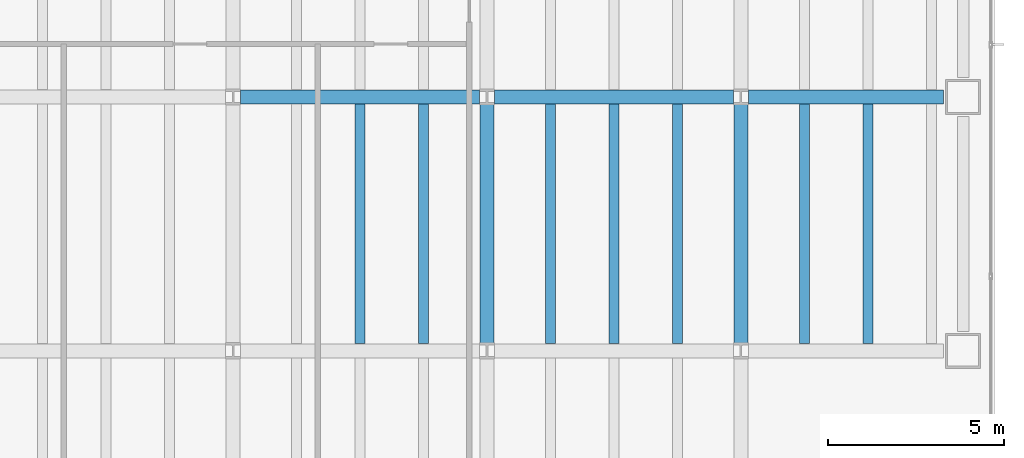
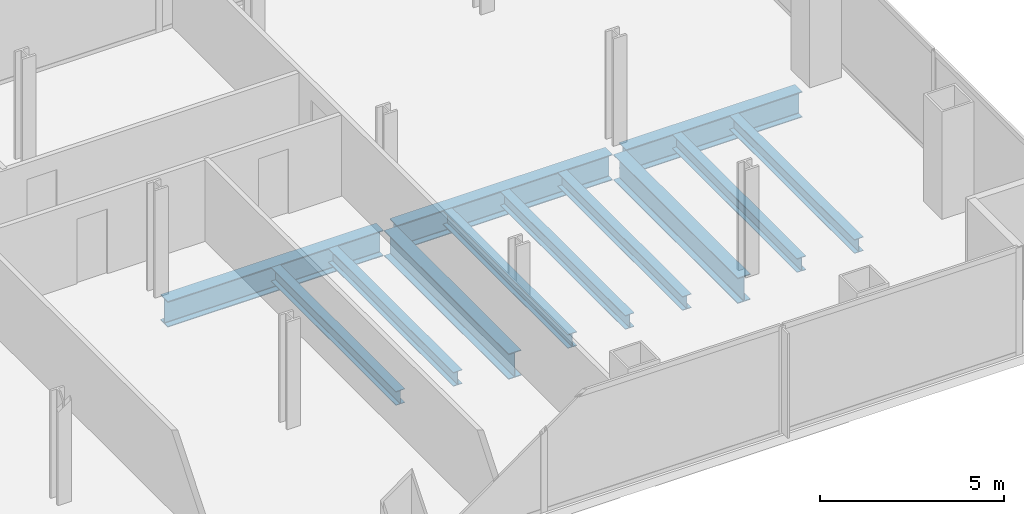
# One storey, part 9 of 25: 12 beams.
"""IFC4 building model written with IfcOpenShell, lengths in metres."""

from ifc_helpers import new_model, si_unit, direction, frame, origin, origin_2d, place, context, subcontext, project, spatial, i_section, extrude, material, material_profile, profile_set, type_object, element, save


model = new_model("IFC4")

# Units and contexts
model_context = context("Model", 3, precision=1e-05, world=origin(), true_north=direction((0.0, 1.0)))
body_context = subcontext(model_context, "Body", "Model", "MODEL_VIEW")
ifc_project = project(units=[si_unit("LENGTHUNIT", "METRE"), si_unit("AREAUNIT", "SQUARE_METRE"), si_unit("VOLUMEUNIT", "CUBIC_METRE"), si_unit("PLANEANGLEUNIT", "RADIAN"), si_unit("MASSUNIT", "GRAM", prefix="KILO")], contexts=[model_context])

# Site, building, storey
site_placement = place(None, origin())
site = spatial("IfcSite", under=ifc_project, at=site_placement, CompositionType="ELEMENT")
building_placement = place(site_placement, origin())
building = spatial("IfcBuilding", under=site, at=building_placement, Name="Cobrela Telecom Tower", CompositionType="ELEMENT")
storey_placement = place(building_placement, frame((0.0, 0.0, 46.550048828125)))
storey = spatial("IfcBuildingStorey", under=building, at=storey_placement, Name="L11", CompositionType="ELEMENT", Elevation=46.550048828125)

# Beams
ifc_material = material(Name="Steel ASTM A992 Grade 50", Category="steel")
ifc_material_profile_1 = material_profile(ifc_material, i_section(OverallWidth=0.39892578125, OverallDepth=0.85595703125, WebThickness=0.018310546875, FlangeThickness=0.029296875, FilletRadius=0.02001953125, at=origin_2d()), Name="W33X201")
ifc_profile_set_1 = profile_set([ifc_material_profile_1], Name="Steel ASTM A992 Grade 50")
beam_type_1 = type_object("IfcBeamType", Name="BM-GIRD-03", PredefinedType="USERDEFINED", material=ifc_profile_set_1)
for number, where, z_axis, x_axis, name in (
    (1, (29.01611328125, 14.39990234375, -0.7080078125), (1.0, 0.0, 0.0), (0.0, 1.0, 0.0), "L11 Primary Girder X15"),
    (2, (36.216064453125, 14.39990234375, -0.7080078125), (1.0, 0.0, 0.0), (0.0, 1.0, 0.0), "L11 Primary Girder X16"),
):
    element("IfcBeam", number, at=place(storey_placement, frame(where, z_axis=z_axis, x_axis=x_axis)), inside=storey, type_object=beam_type_1, Name=name, ObjectType="GIRDER", PredefinedType="USERDEFINED", context=body_context, shape_type="SweptSolid", body=[
        extrude(i_section(OverallWidth=0.39892578125, OverallDepth=0.85595703125, WebThickness=0.018310546875, FlangeThickness=0.029296875, FilletRadius=0.02001953125, at=origin_2d()), origin(), (0.0, 0.0, 1.0), 6.767822265625),
    ])
beam_placement = place(storey_placement, frame((43.416015625, 14.39990234375, -0.7080078125), z_axis=(1.0, 0.0, 0.0), x_axis=(0.0, 1.0, 0.0)))
element("IfcBeam", 3, at=beam_placement, inside=storey, type_object=beam_type_1, Name="L11 Primary Girder X17", ObjectType="GIRDER", PredefinedType="USERDEFINED", context=body_context, shape_type="SweptSolid", body=[
    extrude(i_section(OverallWidth=0.39892578125, OverallDepth=0.85595703125, WebThickness=0.018310546875, FlangeThickness=0.029296875, FilletRadius=0.02001953125, at=origin_2d()), origin(), (0.0, 0.0, 1.0), 5.529052734375),
])
for number, where, z_axis, x_axis, name in (
    (4, (36.0, 7.416015625, -0.7080078125), (0.0, 1.0, 0.0), (-1.0, 0.0, 0.0), "L11 Primary Girder Y51"),
    (5, (43.199951171875, 7.416015625, -0.7080078125), (0.0, 1.0, 0.0), (-1.0, 0.0, 0.0), "L11 Primary Girder Y54"),
):
    element("IfcBeam", number, at=place(storey_placement, frame(where, z_axis=z_axis, x_axis=x_axis)), inside=storey, type_object=beam_type_1, Name=name, ObjectType="GIRDER", PredefinedType="USERDEFINED", context=body_context, shape_type="SweptSolid", body=[
        extrude(i_section(OverallWidth=0.39892578125, OverallDepth=0.85595703125, WebThickness=0.018310546875, FlangeThickness=0.029296875, FilletRadius=0.02001953125, at=origin_2d()), origin(), (0.0, 0.0, 1.0), 6.76806640625),
    ])
ifc_material_profile_2 = material_profile(ifc_material, i_section(OverallWidth=0.281982421875, OverallDepth=0.467041015625, WebThickness=0.01220703125, FlangeThickness=0.01953125, FilletRadius=0.012939453125, at=origin_2d()), Name="W18X86")
ifc_profile_set_2 = profile_set([ifc_material_profile_2], Name="Steel ASTM A992 Grade 50")
beam_type_2 = type_object("IfcBeamType", Name="BM-JOIST-02", PredefinedType="JOIST", material=ifc_profile_set_2)
for number, where, z_axis, x_axis, name in (
    (6, (32.39990234375, 7.404541015625, -0.513427734375), (0.0, 1.0, 0.0), (-1.0, 0.0, 0.0), "L11 Secondary Composite Floor Beam J45"),
    (7, (34.199951171875, 7.404541015625, -0.513427734375), (0.0, 1.0, 0.0), (-1.0, 0.0, 0.0), "L11 Secondary Composite Floor Beam J48"),
    (8, (37.800048828125, 7.404541015625, -0.513427734375), (0.0, 1.0, 0.0), (-1.0, 0.0, 0.0), "L11 Secondary Composite Floor Beam J51"),
    (9, (39.60009765625, 7.404541015625, -0.513427734375), (0.0, 1.0, 0.0), (-1.0, 0.0, 0.0), "L11 Secondary Composite Floor Beam J54"),
    (10, (41.39990234375, 7.404541015625, -0.513427734375), (0.0, 1.0, 0.0), (-1.0, 0.0, 0.0), "L11 Secondary Composite Floor Beam J57"),
    (11, (45.0, 7.404541015625, -0.513427734375), (0.0, 1.0, 0.0), (-1.0, 0.0, 0.0), "L11 Secondary Composite Floor Beam J59"),
    (12, (46.800048828125, 7.404541015625, -0.513427734375), (0.0, 1.0, 0.0), (-1.0, 0.0, 0.0), "L11 Secondary Composite Floor Beam J61"),
):
    element("IfcBeam", number, at=place(storey_placement, frame(where, z_axis=z_axis, x_axis=x_axis)), inside=storey, type_object=beam_type_2, Name=name, PredefinedType="JOIST", context=body_context, shape_type="SweptSolid", body=[
        extrude(i_section(OverallWidth=0.281982421875, OverallDepth=0.467041015625, WebThickness=0.01220703125, FlangeThickness=0.01953125, FilletRadius=0.012939453125, at=origin_2d()), origin(), (0.0, 0.0, 1.0), 6.791015625),
    ])

save(model, "model.ifc")
